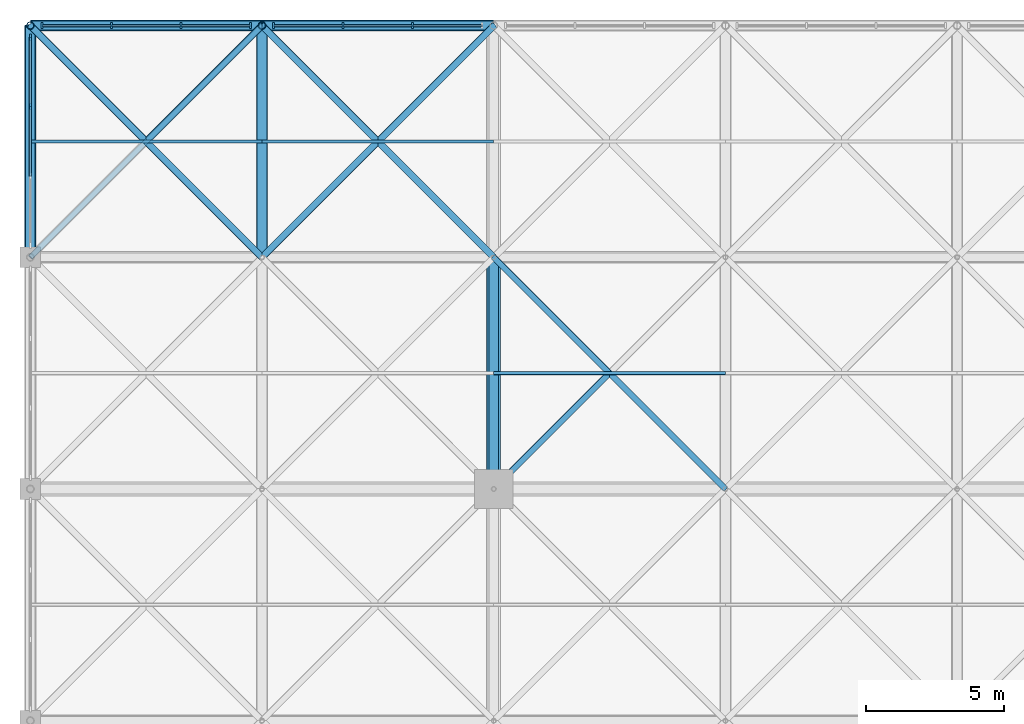
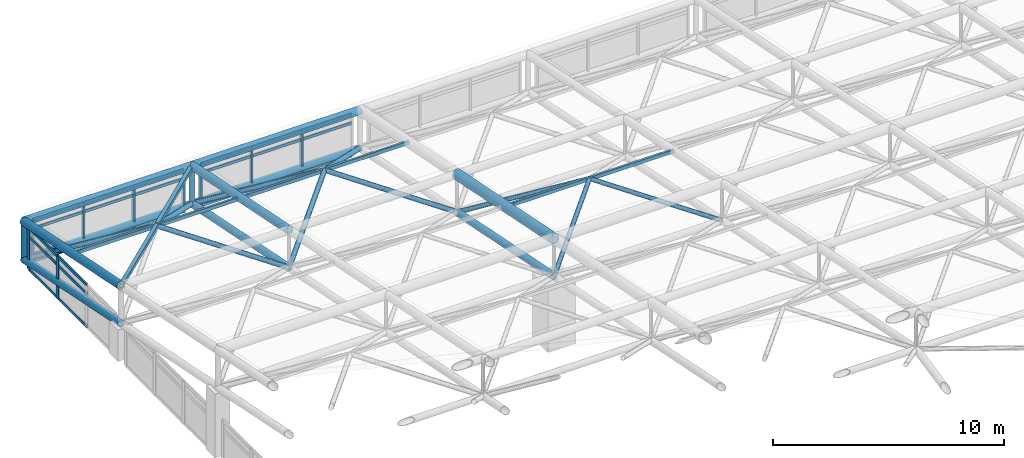
# One storey, part 48 of 81: 59 members, 3 elements without a shape of their own.
"""IFC4 building model written with IfcOpenShell, lengths in metres."""

from ifc_helpers import new_model, si_unit, direction, frame, origin, origin_2d, place, context, subcontext, project, spatial, rectangle, hollow_rectangle, hollow_circle, extrude, material, layer, layer_set, material_profile, profile_set, type_object, element, aggregate, save


model = new_model("IFC4")

# Units and contexts
model_context = context("Model", 3, precision=1e-05, world=origin(), true_north=direction((0.0, 1.0)))
body_context = subcontext(model_context, "Body", "Model", "MODEL_VIEW")
ifc_project = project(units=[si_unit("LENGTHUNIT", "METRE"), si_unit("AREAUNIT", "SQUARE_METRE"), si_unit("VOLUMEUNIT", "CUBIC_METRE"), si_unit("PLANEANGLEUNIT", "RADIAN"), si_unit("MASSUNIT", "GRAM", prefix="KILO")], contexts=[model_context])

# Site, building, storey
site_placement = place(None, origin())
site = spatial("IfcSite", under=ifc_project, at=site_placement, CompositionType="ELEMENT")
building_placement = place(site_placement, origin())
building = spatial("IfcBuilding", under=site, at=building_placement, Name="Qawsi Khor Wholesale Market", CompositionType="ELEMENT")
storey_placement = place(building_placement, frame((0.0, 0.0, 16.199951171875)))
storey = spatial("IfcBuildingStorey", under=building, at=storey_placement, Name="L03", CompositionType="ELEMENT", Elevation=16.199951171875)

# Curtain wall, members
ifc_material_1 = material(Name="Aluminium Anodised Bronze", Category="aluminium")
ifc_layer = layer(ifc_material_1, 0.199951171875, Name="Aluminium Anodised Bronze")
ifc_layer_set = layer_set([ifc_layer], Name="Aluminium Anodised Bronze")
curtain_wall_type = type_object("IfcCurtainWallType", Name="Trading Hall North-Light Curtain Wall CW-03", PredefinedType="NOTDEFINED", material=ifc_layer_set)
curtain_wall_1_placement = place(storey_placement, origin())
curtain_wall_1 = element("IfcCurtainWall", 1, at=curtain_wall_1_placement, inside=storey, type_object=curtain_wall_type, Name="Curtain wall CW-CW-03-L03-120", PredefinedType="NOTDEFINED")
ifc_material_profile_1 = material_profile(ifc_material_1, rectangle(XDim=0.074951171875, YDim=0.219970703125, at=origin_2d()), Name="ALU MULLION 75x220")
ifc_profile_set_1 = profile_set([ifc_material_profile_1], Name="Aluminium Anodised Bronze")
member_type_1 = type_object("IfcMemberType", Name="Curtain Wall Mullion CW-03 ALU MULLION 75x220", PredefinedType="MULLION", material=ifc_profile_set_1)
member_1_placement = place(storey_placement, frame((0.422607421875, 109.199951171875, -0.300048828125), z_axis=(0.0, 0.0, 1.0), x_axis=(1.0, 0.0, 0.0)))
member_1 = element("IfcMember", 2, at=member_1_placement, type_object=member_type_1, Name="Mullion CW-CW-03-L03-120-M00", PredefinedType="MULLION", context=body_context, shape_type="SweptSolid", body=[
    extrude(rectangle(XDim=0.074951171875, YDim=0.219970703125, at=origin_2d()), origin(), (0.0, 0.0, 1.0), 2.2001953125),
])
member_2_placement = place(storey_placement, frame((2.94091796875, 109.199951171875, -0.300048828125), z_axis=(0.0, 0.0, 1.0), x_axis=(1.0, 0.0, 0.0)))
member_2 = element("IfcMember", 3, at=member_2_placement, type_object=member_type_1, Name="Mullion CW-CW-03-L03-120-M01", PredefinedType="MULLION", context=body_context, shape_type="SweptSolid", body=[
    extrude(rectangle(XDim=0.074951171875, YDim=0.219970703125, at=origin_2d()), origin(), (0.0, 0.0, 1.0), 2.2001953125),
])
member_3_placement = place(storey_placement, frame((5.459228515625, 109.199951171875, -0.300048828125), z_axis=(0.0, 0.0, 1.0), x_axis=(1.0, 0.0, 0.0)))
member_3 = element("IfcMember", 4, at=member_3_placement, type_object=member_type_1, Name="Mullion CW-CW-03-L03-120-M02", PredefinedType="MULLION", context=body_context, shape_type="SweptSolid", body=[
    extrude(rectangle(XDim=0.074951171875, YDim=0.219970703125, at=origin_2d()), origin(), (0.0, 0.0, 1.0), 2.2001953125),
])
member_4_placement = place(storey_placement, frame((7.9775390625, 109.199951171875, -0.300048828125), z_axis=(0.0, 0.0, 1.0), x_axis=(1.0, 0.0, 0.0)))
member_4 = element("IfcMember", 5, at=member_4_placement, type_object=member_type_1, Name="Mullion CW-CW-03-L03-120-M03", PredefinedType="MULLION", context=body_context, shape_type="SweptSolid", body=[
    extrude(rectangle(XDim=0.074951171875, YDim=0.219970703125, at=origin_2d()), origin(), (0.0, 0.0, 1.0), 2.2001953125),
])

curtain_wall_2_placement = place(storey_placement, origin())
curtain_wall_2 = element("IfcCurtainWall", 6, at=curtain_wall_2_placement, inside=storey, type_object=curtain_wall_type, Name="Curtain wall CW-CW-03-L03-121", PredefinedType="NOTDEFINED")
member_5_placement = place(storey_placement, frame((8.822509765625, 109.199951171875, -0.300048828125), z_axis=(0.0, 0.0, 1.0), x_axis=(1.0, 0.0, 0.0)))
member_5 = element("IfcMember", 7, at=member_5_placement, type_object=member_type_1, Name="Mullion CW-CW-03-L03-121-M00", PredefinedType="MULLION", context=body_context, shape_type="SweptSolid", body=[
    extrude(rectangle(XDim=0.074951171875, YDim=0.219970703125, at=origin_2d()), origin(), (0.0, 0.0, 1.0), 2.2001953125),
])
member_6_placement = place(storey_placement, frame((11.3408203125, 109.199951171875, -0.300048828125), z_axis=(0.0, 0.0, 1.0), x_axis=(1.0, 0.0, 0.0)))
member_6 = element("IfcMember", 8, at=member_6_placement, type_object=member_type_1, Name="Mullion CW-CW-03-L03-121-M01", PredefinedType="MULLION", context=body_context, shape_type="SweptSolid", body=[
    extrude(rectangle(XDim=0.074951171875, YDim=0.219970703125, at=origin_2d()), origin(), (0.0, 0.0, 1.0), 2.2001953125),
])
member_7_placement = place(storey_placement, frame((13.859130859375, 109.199951171875, -0.300048828125), z_axis=(0.0, 0.0, 1.0), x_axis=(1.0, 0.0, 0.0)))
member_7 = element("IfcMember", 9, at=member_7_placement, type_object=member_type_1, Name="Mullion CW-CW-03-L03-121-M02", PredefinedType="MULLION", context=body_context, shape_type="SweptSolid", body=[
    extrude(rectangle(XDim=0.074951171875, YDim=0.219970703125, at=origin_2d()), origin(), (0.0, 0.0, 1.0), 2.2001953125),
])

curtain_wall_3_placement = place(storey_placement, origin())
curtain_wall_3 = element("IfcCurtainWall", 10, at=curtain_wall_3_placement, inside=storey, type_object=curtain_wall_type, Name="Curtain wall CW-CW-03-L03-143", PredefinedType="NOTDEFINED")
member_8_placement = place(storey_placement, frame((0.0, 106.25927734375, -0.300048828125), z_axis=(0.0, 0.0, 1.0), x_axis=(1.0, 0.0, 0.0)))
member_8 = element("IfcMember", 11, at=member_8_placement, type_object=member_type_1, Name="Mullion CW-CW-03-L03-143-M02", PredefinedType="MULLION", context=body_context, shape_type="SweptSolid", body=[
    extrude(rectangle(XDim=0.074951171875, YDim=0.219970703125, at=origin_2d()), origin(), (0.0, 0.0, 1.0), 2.2001953125),
])
member_9_placement = place(storey_placement, frame((0.0, 108.777587890625, -0.300048828125), z_axis=(0.0, 0.0, 1.0), x_axis=(1.0, 0.0, 0.0)))
member_9 = element("IfcMember", 12, at=member_9_placement, type_object=member_type_1, Name="Mullion CW-CW-03-L03-143-M03", PredefinedType="MULLION", context=body_context, shape_type="SweptSolid", body=[
    extrude(rectangle(XDim=0.074951171875, YDim=0.219970703125, at=origin_2d()), origin(), (0.0, 0.0, 1.0), 2.2001953125),
])

# Member
ifc_material_profile_2 = material_profile(ifc_material_1, rectangle(XDim=0.070068359375, YDim=0.14990234375, at=origin_2d()), Name="ALU TRANSOM 70x150")
ifc_profile_set_2 = profile_set([ifc_material_profile_2], Name="Aluminium Anodised Bronze")
member_type_2 = type_object("IfcMemberType", Name="Curtain Wall Transom CW-03 ALU TRANSOM 70x150", PredefinedType="USERDEFINED", material=ifc_profile_set_2)
member_10_placement = place(storey_placement, frame((0.422607421875, 109.199951171875, -0.280029296875), z_axis=(1.0, 0.0, 0.0), x_axis=(0.0, 1.0, 0.0)))
member_10 = element("IfcMember", 13, at=member_10_placement, type_object=member_type_2, Name="Transom CW-CW-03-L03-120-T0_00", ObjectType="TRANSOM", PredefinedType="USERDEFINED", context=body_context, shape_type="SweptSolid", body=[
    extrude(rectangle(XDim=0.070068359375, YDim=0.14990234375, at=origin_2d()), origin(), (0.0, 0.0, 1.0), 2.518310546875),
])

member_11_placement = place(storey_placement, frame((2.94091796875, 109.199951171875, -0.280029296875), z_axis=(1.0, 0.0, 0.0), x_axis=(0.0, 1.0, 0.0)))
member_11 = element("IfcMember", 14, at=member_11_placement, type_object=member_type_2, Name="Transom CW-CW-03-L03-120-T0_01", ObjectType="TRANSOM", PredefinedType="USERDEFINED", context=body_context, shape_type="SweptSolid", body=[
    extrude(rectangle(XDim=0.070068359375, YDim=0.14990234375, at=origin_2d()), origin(), (0.0, 0.0, 1.0), 2.518310546875),
])

member_12_placement = place(storey_placement, frame((5.459228515625, 109.199951171875, -0.280029296875), z_axis=(1.0, 0.0, 0.0), x_axis=(0.0, 1.0, 0.0)))
member_12 = element("IfcMember", 15, at=member_12_placement, type_object=member_type_2, Name="Transom CW-CW-03-L03-120-T0_02", ObjectType="TRANSOM", PredefinedType="USERDEFINED", context=body_context, shape_type="SweptSolid", body=[
    extrude(rectangle(XDim=0.070068359375, YDim=0.14990234375, at=origin_2d()), origin(), (0.0, 0.0, 1.0), 2.518310546875),
])

member_13_placement = place(storey_placement, frame((0.422607421875, 109.199951171875, 1.449951171875), z_axis=(1.0, 0.0, 0.0), x_axis=(0.0, 1.0, 0.0)))
member_13 = element("IfcMember", 16, at=member_13_placement, type_object=member_type_2, Name="Transom CW-CW-03-L03-120-T1_00", ObjectType="TRANSOM", PredefinedType="USERDEFINED", context=body_context, shape_type="SweptSolid", body=[
    extrude(rectangle(XDim=0.070068359375, YDim=0.14990234375, at=origin_2d()), origin(), (0.0, 0.0, 1.0), 2.518310546875),
])

member_14_placement = place(storey_placement, frame((2.94091796875, 109.199951171875, 1.449951171875), z_axis=(1.0, 0.0, 0.0), x_axis=(0.0, 1.0, 0.0)))
member_14 = element("IfcMember", 17, at=member_14_placement, type_object=member_type_2, Name="Transom CW-CW-03-L03-120-T1_01", ObjectType="TRANSOM", PredefinedType="USERDEFINED", context=body_context, shape_type="SweptSolid", body=[
    extrude(rectangle(XDim=0.070068359375, YDim=0.14990234375, at=origin_2d()), origin(), (0.0, 0.0, 1.0), 2.518310546875),
])

member_15_placement = place(storey_placement, frame((5.459228515625, 109.199951171875, 1.449951171875), z_axis=(1.0, 0.0, 0.0), x_axis=(0.0, 1.0, 0.0)))
member_15 = element("IfcMember", 18, at=member_15_placement, type_object=member_type_2, Name="Transom CW-CW-03-L03-120-T1_02", ObjectType="TRANSOM", PredefinedType="USERDEFINED", context=body_context, shape_type="SweptSolid", body=[
    extrude(rectangle(XDim=0.070068359375, YDim=0.14990234375, at=origin_2d()), origin(), (0.0, 0.0, 1.0), 2.518310546875),
])

member_16_placement = place(storey_placement, frame((0.422607421875, 109.199951171875, 1.900146484375), z_axis=(1.0, 0.0, 0.0), x_axis=(0.0, 1.0, 0.0)))
member_16 = element("IfcMember", 19, at=member_16_placement, type_object=member_type_2, Name="Transom CW-CW-03-L03-120-T2_00", ObjectType="TRANSOM", PredefinedType="USERDEFINED", context=body_context, shape_type="SweptSolid", body=[
    extrude(rectangle(XDim=0.070068359375, YDim=0.14990234375, at=origin_2d()), origin(), (0.0, 0.0, 1.0), 2.518310546875),
])

member_17_placement = place(storey_placement, frame((2.94091796875, 109.199951171875, 1.900146484375), z_axis=(1.0, 0.0, 0.0), x_axis=(0.0, 1.0, 0.0)))
member_17 = element("IfcMember", 20, at=member_17_placement, type_object=member_type_2, Name="Transom CW-CW-03-L03-120-T2_01", ObjectType="TRANSOM", PredefinedType="USERDEFINED", context=body_context, shape_type="SweptSolid", body=[
    extrude(rectangle(XDim=0.070068359375, YDim=0.14990234375, at=origin_2d()), origin(), (0.0, 0.0, 1.0), 2.518310546875),
])

member_18_placement = place(storey_placement, frame((5.459228515625, 109.199951171875, 1.900146484375), z_axis=(1.0, 0.0, 0.0), x_axis=(0.0, 1.0, 0.0)))
member_18 = element("IfcMember", 21, at=member_18_placement, type_object=member_type_2, Name="Transom CW-CW-03-L03-120-T2_02", ObjectType="TRANSOM", PredefinedType="USERDEFINED", context=body_context, shape_type="SweptSolid", body=[
    extrude(rectangle(XDim=0.070068359375, YDim=0.14990234375, at=origin_2d()), origin(), (0.0, 0.0, 1.0), 2.518310546875),
])

aggregate(curtain_wall_1, [member_1, member_2, member_3, member_4, member_10, member_11, member_12, member_13, member_14, member_15, member_16, member_17, member_18])

member_19_placement = place(storey_placement, frame((8.822509765625, 109.199951171875, -0.280029296875), z_axis=(1.0, 0.0, 0.0), x_axis=(0.0, 1.0, 0.0)))
member_19 = element("IfcMember", 22, at=member_19_placement, type_object=member_type_2, Name="Transom CW-CW-03-L03-121-T0_00", ObjectType="TRANSOM", PredefinedType="USERDEFINED", context=body_context, shape_type="SweptSolid", body=[
    extrude(rectangle(XDim=0.070068359375, YDim=0.14990234375, at=origin_2d()), origin(), (0.0, 0.0, 1.0), 2.518310546875),
])

member_20_placement = place(storey_placement, frame((11.3408203125, 109.199951171875, -0.280029296875), z_axis=(1.0, 0.0, 0.0), x_axis=(0.0, 1.0, 0.0)))
member_20 = element("IfcMember", 23, at=member_20_placement, type_object=member_type_2, Name="Transom CW-CW-03-L03-121-T0_01", ObjectType="TRANSOM", PredefinedType="USERDEFINED", context=body_context, shape_type="SweptSolid", body=[
    extrude(rectangle(XDim=0.070068359375, YDim=0.14990234375, at=origin_2d()), origin(), (0.0, 0.0, 1.0), 2.518310546875),
])

member_21_placement = place(storey_placement, frame((13.859130859375, 109.199951171875, -0.280029296875), z_axis=(1.0, 0.0, 0.0), x_axis=(0.0, 1.0, 0.0)))
member_21 = element("IfcMember", 24, at=member_21_placement, type_object=member_type_2, Name="Transom CW-CW-03-L03-121-T0_02", ObjectType="TRANSOM", PredefinedType="USERDEFINED", context=body_context, shape_type="SweptSolid", body=[
    extrude(rectangle(XDim=0.070068359375, YDim=0.14990234375, at=origin_2d()), origin(), (0.0, 0.0, 1.0), 2.518310546875),
])

member_22_placement = place(storey_placement, frame((8.822509765625, 109.199951171875, 1.449951171875), z_axis=(1.0, 0.0, 0.0), x_axis=(0.0, 1.0, 0.0)))
member_22 = element("IfcMember", 25, at=member_22_placement, type_object=member_type_2, Name="Transom CW-CW-03-L03-121-T1_00", ObjectType="TRANSOM", PredefinedType="USERDEFINED", context=body_context, shape_type="SweptSolid", body=[
    extrude(rectangle(XDim=0.070068359375, YDim=0.14990234375, at=origin_2d()), origin(), (0.0, 0.0, 1.0), 2.518310546875),
])

member_23_placement = place(storey_placement, frame((11.3408203125, 109.199951171875, 1.449951171875), z_axis=(1.0, 0.0, 0.0), x_axis=(0.0, 1.0, 0.0)))
member_23 = element("IfcMember", 26, at=member_23_placement, type_object=member_type_2, Name="Transom CW-CW-03-L03-121-T1_01", ObjectType="TRANSOM", PredefinedType="USERDEFINED", context=body_context, shape_type="SweptSolid", body=[
    extrude(rectangle(XDim=0.070068359375, YDim=0.14990234375, at=origin_2d()), origin(), (0.0, 0.0, 1.0), 2.518310546875),
])

member_24_placement = place(storey_placement, frame((13.859130859375, 109.199951171875, 1.449951171875), z_axis=(1.0, 0.0, 0.0), x_axis=(0.0, 1.0, 0.0)))
member_24 = element("IfcMember", 27, at=member_24_placement, type_object=member_type_2, Name="Transom CW-CW-03-L03-121-T1_02", ObjectType="TRANSOM", PredefinedType="USERDEFINED", context=body_context, shape_type="SweptSolid", body=[
    extrude(rectangle(XDim=0.070068359375, YDim=0.14990234375, at=origin_2d()), origin(), (0.0, 0.0, 1.0), 2.518310546875),
])

member_25_placement = place(storey_placement, frame((8.822509765625, 109.199951171875, 1.900146484375), z_axis=(1.0, 0.0, 0.0), x_axis=(0.0, 1.0, 0.0)))
member_25 = element("IfcMember", 28, at=member_25_placement, type_object=member_type_2, Name="Transom CW-CW-03-L03-121-T2_00", ObjectType="TRANSOM", PredefinedType="USERDEFINED", context=body_context, shape_type="SweptSolid", body=[
    extrude(rectangle(XDim=0.070068359375, YDim=0.14990234375, at=origin_2d()), origin(), (0.0, 0.0, 1.0), 2.518310546875),
])

member_26_placement = place(storey_placement, frame((11.3408203125, 109.199951171875, 1.900146484375), z_axis=(1.0, 0.0, 0.0), x_axis=(0.0, 1.0, 0.0)))
member_26 = element("IfcMember", 29, at=member_26_placement, type_object=member_type_2, Name="Transom CW-CW-03-L03-121-T2_01", ObjectType="TRANSOM", PredefinedType="USERDEFINED", context=body_context, shape_type="SweptSolid", body=[
    extrude(rectangle(XDim=0.070068359375, YDim=0.14990234375, at=origin_2d()), origin(), (0.0, 0.0, 1.0), 2.518310546875),
])

member_27_placement = place(storey_placement, frame((13.859130859375, 109.199951171875, 1.900146484375), z_axis=(1.0, 0.0, 0.0), x_axis=(0.0, 1.0, 0.0)))
member_27 = element("IfcMember", 30, at=member_27_placement, type_object=member_type_2, Name="Transom CW-CW-03-L03-121-T2_02", ObjectType="TRANSOM", PredefinedType="USERDEFINED", context=body_context, shape_type="SweptSolid", body=[
    extrude(rectangle(XDim=0.070068359375, YDim=0.14990234375, at=origin_2d()), origin(), (0.0, 0.0, 1.0), 2.518310546875),
])

aggregate(curtain_wall_2, [member_5, member_6, member_7, member_19, member_20, member_21, member_22, member_23, member_24, member_25, member_26, member_27])

member_28_placement = place(storey_placement, frame((0.0, 103.74072265625, -0.280029296875), z_axis=(0.0, 1.0, 0.0), x_axis=(-1.0, 0.0, 0.0)))
member_28 = element("IfcMember", 31, at=member_28_placement, type_object=member_type_2, Name="Transom CW-CW-03-L03-143-T0_01", ObjectType="TRANSOM", PredefinedType="USERDEFINED", context=body_context, shape_type="SweptSolid", body=[
    extrude(rectangle(XDim=0.070068359375, YDim=0.14990234375, at=origin_2d()), origin(), (0.0, 0.0, 1.0), 2.5185546875),
])

member_29_placement = place(storey_placement, frame((0.0, 106.25927734375, -0.280029296875), z_axis=(0.0, 1.0, 0.0), x_axis=(-1.0, 0.0, 0.0)))
member_29 = element("IfcMember", 32, at=member_29_placement, type_object=member_type_2, Name="Transom CW-CW-03-L03-143-T0_02", ObjectType="TRANSOM", PredefinedType="USERDEFINED", context=body_context, shape_type="SweptSolid", body=[
    extrude(rectangle(XDim=0.070068359375, YDim=0.14990234375, at=origin_2d()), origin(), (0.0, 0.0, 1.0), 2.518310546875),
])

member_30_placement = place(storey_placement, frame((0.0, 103.74072265625, 1.449951171875), z_axis=(0.0, 1.0, 0.0), x_axis=(-1.0, 0.0, 0.0)))
member_30 = element("IfcMember", 33, at=member_30_placement, type_object=member_type_2, Name="Transom CW-CW-03-L03-143-T1_01", ObjectType="TRANSOM", PredefinedType="USERDEFINED", context=body_context, shape_type="SweptSolid", body=[
    extrude(rectangle(XDim=0.070068359375, YDim=0.14990234375, at=origin_2d()), origin(), (0.0, 0.0, 1.0), 2.5185546875),
])

member_31_placement = place(storey_placement, frame((0.0, 106.25927734375, 1.449951171875), z_axis=(0.0, 1.0, 0.0), x_axis=(-1.0, 0.0, 0.0)))
member_31 = element("IfcMember", 34, at=member_31_placement, type_object=member_type_2, Name="Transom CW-CW-03-L03-143-T1_02", ObjectType="TRANSOM", PredefinedType="USERDEFINED", context=body_context, shape_type="SweptSolid", body=[
    extrude(rectangle(XDim=0.070068359375, YDim=0.14990234375, at=origin_2d()), origin(), (0.0, 0.0, 1.0), 2.518310546875),
])

member_32_placement = place(storey_placement, frame((0.0, 103.74072265625, 1.900146484375), z_axis=(0.0, 1.0, 0.0), x_axis=(-1.0, 0.0, 0.0)))
member_32 = element("IfcMember", 35, at=member_32_placement, type_object=member_type_2, Name="Transom CW-CW-03-L03-143-T2_01", ObjectType="TRANSOM", PredefinedType="USERDEFINED", context=body_context, shape_type="SweptSolid", body=[
    extrude(rectangle(XDim=0.070068359375, YDim=0.14990234375, at=origin_2d()), origin(), (0.0, 0.0, 1.0), 2.5185546875),
])

member_33_placement = place(storey_placement, frame((0.0, 106.25927734375, 1.900146484375), z_axis=(0.0, 1.0, 0.0), x_axis=(-1.0, 0.0, 0.0)))
member_33 = element("IfcMember", 36, at=member_33_placement, type_object=member_type_2, Name="Transom CW-CW-03-L03-143-T2_02", ObjectType="TRANSOM", PredefinedType="USERDEFINED", context=body_context, shape_type="SweptSolid", body=[
    extrude(rectangle(XDim=0.070068359375, YDim=0.14990234375, at=origin_2d()), origin(), (0.0, 0.0, 1.0), 2.518310546875),
])

aggregate(curtain_wall_3, [member_8, member_9, member_28, member_29, member_30, member_31, member_32, member_33])

# Members
ifc_material_2 = material(Name="Steel S355", Category="steel")
ifc_material_profile_3 = material_profile(ifc_material_2, hollow_rectangle(XDim=0.199951171875, YDim=0.199951171875, WallThickness=0.010009765625, InnerFilletRadius=0.010009765625, OuterFilletRadius=0.02001953125, at=origin_2d()), Name="SHS 200x200x10.0")
ifc_profile_set_3 = profile_set([ifc_material_profile_3], Name="Steel S355")
member_type_3 = type_object("IfcMemberType", Name="Roof Plan Brace SHS 200x200x10.0", PredefinedType="BRACE", material=ifc_profile_set_3)
member_34_placement = place(storey_placement, frame((0.0, 100.800048828125, 3.670166015625), z_axis=(0.699973918403, 0.699973918403, -0.141679310811), x_axis=(-0.707106781187, 0.707106781187, 0.0)))
element("IfcMember", 37, at=member_34_placement, inside=storey, type_object=member_type_3, Name="Space frame plan brace WH (0,12)", PredefinedType="BRACE", context=body_context, shape_type="SweptSolid", body=[
    extrude(hollow_rectangle(XDim=0.199951171875, YDim=0.199951171875, WallThickness=0.010009765625, InnerFilletRadius=0.010009765625, OuterFilletRadius=0.02001953125, at=origin_2d()), origin(), (0.0, 0.0, 1.0), 12.000244140625),
])
ifc_material_profile_4 = material_profile(ifc_material_2, hollow_circle(Radius=0.177734375, WallThickness=0.01611328125, at=origin_2d()), Name="CHS 355.6x16.0")
ifc_profile_set_4 = profile_set([ifc_material_profile_4], Name="Steel S355")
member_type_4 = type_object("IfcMemberType", Name="Space-Frame Bottom Chord CHS 355.6x16.0", PredefinedType="CHORD", material=ifc_profile_set_4)
for number, where, z_axis, x_axis, name in (
    (38, (0.0, 100.800048828125, 1.670166015625), (0.0, 0.9801244518, -0.198383615716), (-1.0, 0.0, 0.0), "Space frame bottom chord Y WH (0,12)"),
    (39, (8.39990234375, 100.800048828125, 1.670166015625), (0.0, 0.9801244518, -0.198383615716), (-1.0, 0.0, 0.0), "Space frame bottom chord Y WH (1,12)"),
    (40, (16.800048828125, 92.39990234375, 3.3701171875), (0.0, 0.98013111127, -0.198350711418), (-1.0, 0.0, 0.0), "Space frame bottom chord Y WH (2,11)"),
):
    element("IfcMember", number, at=place(storey_placement, frame(where, z_axis=z_axis, x_axis=x_axis)), inside=storey, type_object=member_type_4, Name=name, PredefinedType="CHORD", context=body_context, shape_type="SweptSolid", body=[
        extrude(hollow_circle(Radius=0.177734375, WallThickness=0.01611328125, at=origin_2d()), origin(), (0.0, 0.0, 1.0), 8.5703125),
    ])
ifc_material_profile_5 = material_profile(ifc_material_2, hollow_circle(Radius=0.136474609375, WallThickness=0.012451171875, at=origin_2d()), Name="CHS 273.0x12.5")
ifc_profile_set_5 = profile_set([ifc_material_profile_5], Name="Steel S355")
member_type_5 = type_object("IfcMemberType", Name="Space-Frame Edge Post CHS 273.0x12.5", PredefinedType="POST", material=ifc_profile_set_5)
for number, where, z_axis, x_axis, name in (
    (41, (0.0, 109.199951171875, -0.030029296875), (0.0, 0.0, 1.0), (1.0, 0.0, 0.0), "Space frame post WH (0,13)"),
    (42, (8.39990234375, 109.199951171875, -0.030029296875), (0.0, 0.0, 1.0), (1.0, 0.0, 0.0), "Space frame post WH (1,13)"),
):
    element("IfcMember", number, at=place(storey_placement, frame(where, z_axis=z_axis, x_axis=x_axis)), inside=storey, type_object=member_type_5, Name=name, PredefinedType="POST", context=body_context, shape_type="SweptSolid", body=[
        extrude(hollow_circle(Radius=0.136474609375, WallThickness=0.012451171875, at=origin_2d()), origin(), (0.0, 0.0, 1.0), 2.0),
    ])
ifc_material_profile_6 = material_profile(ifc_material_2, hollow_circle(Radius=0.122314453125, WallThickness=0.012451171875, at=origin_2d()), Name="CHS 244.5x12.5")
ifc_profile_set_6 = profile_set([ifc_material_profile_6], Name="Steel S355")
member_type_6 = type_object("IfcMemberType", Name="Space-Frame Heavy Diagonal CHS 244.5x12.5", PredefinedType="POST", material=ifc_profile_set_6)
member_35_placement = place(storey_placement, frame((8.39990234375, 100.800048828125, 1.670166015625), z_axis=(-0.694216714393, 0.694216714393, 0.190069216113), x_axis=(-0.707106781187, -0.707106781187, 0.0)))
element("IfcMember", 43, at=member_35_placement, inside=storey, type_object=member_type_6, Name="Space frame diagonal WH (0,12)-2", PredefinedType="POST", context=body_context, shape_type="SweptSolid", body=[
    extrude(hollow_circle(Radius=0.122314453125, WallThickness=0.012451171875, at=origin_2d()), origin(), (0.0, 0.0, 1.0), 6.0498046875),
])
for number, where, z_axis, x_axis, name in (
    (44, (8.39990234375, 109.199951171875, -0.030029296875), (-0.637511741089, -0.637511741089, 0.432617105474), (0.707106781187, -0.707106781187, 0.0), "Space frame diagonal WH (0,12)-3"),
    (45, (0.0, 109.199951171875, -0.030029296875), (0.637511741089, -0.637511741089, 0.432617105474), (0.707106781187, 0.707106781187, 0.0), "Space frame diagonal WH (0,12)-4"),
):
    element("IfcMember", number, at=place(storey_placement, frame(where, z_axis=z_axis, x_axis=x_axis)), inside=storey, type_object=member_type_6, Name=name, PredefinedType="POST", context=body_context, shape_type="SweptSolid", body=[
        extrude(hollow_circle(Radius=0.122314453125, WallThickness=0.012451171875, at=origin_2d()), origin(), (0.0, 0.0, 1.0), 6.588134765625),
    ])
member_36_placement = place(storey_placement, frame((8.39990234375, 100.800048828125, 1.670166015625), z_axis=(0.694237619642, 0.694197266374, 0.19006389145), x_axis=(-0.70708622964, 0.707127332136, 0.0)))
element("IfcMember", 46, at=member_36_placement, inside=storey, type_object=member_type_6, Name="Space frame diagonal WH (1,12)-1", PredefinedType="POST", context=body_context, shape_type="SweptSolid", body=[
    extrude(hollow_circle(Radius=0.122314453125, WallThickness=0.012451171875, at=origin_2d()), origin(), (0.0, 0.0, 1.0), 6.050048828125),
])
member_37_placement = place(storey_placement, frame((16.800048828125, 100.800048828125, 1.670166015625), z_axis=(-0.694216714393, 0.694216714393, 0.190069216113), x_axis=(-0.707106781187, -0.707106781187, 0.0)))
element("IfcMember", 47, at=member_37_placement, inside=storey, type_object=member_type_6, Name="Space frame diagonal WH (1,12)-2", PredefinedType="POST", context=body_context, shape_type="SweptSolid", body=[
    extrude(hollow_circle(Radius=0.122314453125, WallThickness=0.012451171875, at=origin_2d()), origin(), (0.0, 0.0, 1.0), 6.0498046875),
])
for number, where, z_axis, x_axis, name in (
    (48, (16.800048828125, 109.199951171875, -0.030029296875), (-0.637511741089, -0.637511741089, 0.432617105474), (0.707106781187, -0.707106781187, 0.0), "Space frame diagonal WH (1,12)-3"),
    (49, (8.39990234375, 109.199951171875, -0.030029296875), (0.637533737254, -0.637496679957, 0.432606884951), (0.70708622964, 0.707127332136, 0.0), "Space frame diagonal WH (1,12)-4"),
):
    element("IfcMember", number, at=place(storey_placement, frame(where, z_axis=z_axis, x_axis=x_axis)), inside=storey, type_object=member_type_6, Name=name, PredefinedType="POST", context=body_context, shape_type="SweptSolid", body=[
        extrude(hollow_circle(Radius=0.122314453125, WallThickness=0.012451171875, at=origin_2d()), origin(), (0.0, 0.0, 1.0), 6.588134765625),
    ])
ifc_material_profile_7 = material_profile(ifc_material_2, hollow_rectangle(XDim=0.1201171875, YDim=0.199951171875, WallThickness=0.008056640625, InnerFilletRadius=0.008056640625, OuterFilletRadius=0.01611328125, at=origin_2d()), Name="RHS 200x120x8.0")
ifc_profile_set_7 = profile_set([ifc_material_profile_7], Name="Steel S355")
member_type_7 = type_object("IfcMemberType", Name="Space-Frame Heavy Purlin RHS 200x120x8.0", PredefinedType="PURLIN", material=ifc_profile_set_7)
member_38_placement = place(storey_placement, frame((0.0, 105.0, 2.820068359375), z_axis=(1.0, 0.0, 0.0), x_axis=(0.0, 1.0, 0.0)))
element("IfcMember", 50, at=member_38_placement, inside=storey, type_object=member_type_7, Name="Space frame purlin WH (0,12)", PredefinedType="PURLIN", context=body_context, shape_type="SweptSolid", body=[
    extrude(hollow_rectangle(XDim=0.1201171875, YDim=0.199951171875, WallThickness=0.008056640625, InnerFilletRadius=0.008056640625, OuterFilletRadius=0.01611328125, at=origin_2d()), origin(), (0.0, 0.0, 1.0), 8.39990234375),
])
member_39_placement = place(storey_placement, frame((8.39990234375, 105.0, 2.820068359375), z_axis=(1.0, 0.0, 0.0), x_axis=(0.0, 1.0, 0.0)))
element("IfcMember", 51, at=member_39_placement, inside=storey, type_object=member_type_7, Name="Space frame purlin WH (1,12)", PredefinedType="PURLIN", context=body_context, shape_type="SweptSolid", body=[
    extrude(hollow_rectangle(XDim=0.1201171875, YDim=0.199951171875, WallThickness=0.008056640625, InnerFilletRadius=0.008056640625, OuterFilletRadius=0.01611328125, at=origin_2d()), origin(), (0.0, 0.0, 1.0), 8.400146484375),
])
member_40_placement = place(storey_placement, frame((16.800048828125, 96.60009765625, 4.52001953125), z_axis=(1.0, 0.0, 0.0), x_axis=(0.0, 1.0, 0.0)))
element("IfcMember", 52, at=member_40_placement, inside=storey, type_object=member_type_7, Name="Space frame purlin WH (2,11)", PredefinedType="PURLIN", context=body_context, shape_type="SweptSolid", body=[
    extrude(hollow_rectangle(XDim=0.1201171875, YDim=0.199951171875, WallThickness=0.008056640625, InnerFilletRadius=0.008056640625, OuterFilletRadius=0.01611328125, at=origin_2d()), origin(), (0.0, 0.0, 1.0), 8.39990234375),
])
ifc_material_profile_8 = material_profile(ifc_material_2, hollow_circle(Radius=0.109619140625, WallThickness=0.010009765625, at=origin_2d()), Name="CHS 219.1x10.0")
ifc_profile_set_8 = profile_set([ifc_material_profile_8], Name="Steel S355")
member_type_8 = type_object("IfcMemberType", Name="Space-Frame Inner Diagonal CHS 219.1x10.0", PredefinedType="RAFTER", material=ifc_profile_set_8)
for number, where, z_axis, x_axis, name in (
    (53, (16.800048828125, 92.39990234375, 3.3701171875), (0.694197266374, 0.694237619642, 0.19006389145), (-0.707127332136, 0.70708622964, 0.0), "Space frame diagonal WH (2,11)-1"),
    (54, (25.199951171875, 92.39990234375, 3.3701171875), (-0.694197266374, 0.694237619642, 0.19006389145), (-0.707127332136, -0.70708622964, 0.0), "Space frame diagonal WH (2,11)-2"),
):
    element("IfcMember", number, at=place(storey_placement, frame(where, z_axis=z_axis, x_axis=x_axis)), inside=storey, type_object=member_type_8, Name=name, PredefinedType="RAFTER", context=body_context, shape_type="SweptSolid", body=[
        extrude(hollow_circle(Radius=0.109619140625, WallThickness=0.010009765625, at=origin_2d()), origin(), (0.0, 0.0, 1.0), 6.050048828125),
    ])
member_41_placement = place(storey_placement, frame((16.800048828125, 100.800048828125, 1.670166015625), z_axis=(0.637521961484, -0.637521961484, 0.432586982294), x_axis=(0.707106781187, 0.707106781187, 0.0)))
element("IfcMember", 55, at=member_41_placement, inside=storey, type_object=member_type_8, Name="Space frame diagonal WH (2,11)-4", PredefinedType="RAFTER", context=body_context, shape_type="SweptSolid", body=[
    extrude(hollow_circle(Radius=0.109619140625, WallThickness=0.010009765625, at=origin_2d()), origin(), (0.0, 0.0, 1.0), 6.587890625),
])
ifc_material_profile_9 = material_profile(ifc_material_2, hollow_circle(Radius=0.25390625, WallThickness=0.02490234375, at=origin_2d()), Name="CHS 508.0x25.0")
ifc_profile_set_9 = profile_set([ifc_material_profile_9], Name="Steel S355")
member_type_9 = type_object("IfcMemberType", Name="Space-Frame Main Chord CHS 508.0x25.0", PredefinedType="CHORD", material=ifc_profile_set_9)
member_42_placement = place(storey_placement, frame((16.800048828125, 92.39990234375, 5.3701171875), z_axis=(0.0, 0.98013111127, -0.198350711418), x_axis=(-1.0, 0.0, 0.0)))
element("IfcMember", 56, at=member_42_placement, inside=storey, type_object=member_type_9, Name="Space frame top chord Y WH (2,11)", PredefinedType="CHORD", context=body_context, shape_type="SweptSolid", body=[
    extrude(hollow_circle(Radius=0.25390625, WallThickness=0.02490234375, at=origin_2d()), origin(), (0.0, 0.0, 1.0), 8.5703125),
])
ifc_material_profile_10 = material_profile(ifc_material_2, hollow_circle(Radius=0.161865234375, WallThickness=0.01611328125, at=origin_2d()), Name="CHS 323.9x16.0")
ifc_profile_set_10 = profile_set([ifc_material_profile_10], Name="Steel S355")
member_type_10 = type_object("IfcMemberType", Name="Space-Frame Secondary Chord CHS 323.9x16.0", PredefinedType="CHORD", material=ifc_profile_set_10)
member_43_placement = place(storey_placement, frame((0.0, 109.199951171875, -0.030029296875), z_axis=(1.0, 0.0, 0.0), x_axis=(0.0, 1.0, 0.0)))
element("IfcMember", 57, at=member_43_placement, inside=storey, type_object=member_type_10, Name="Space frame bottom chord X WH (0,13)", PredefinedType="CHORD", context=body_context, shape_type="SweptSolid", body=[
    extrude(hollow_circle(Radius=0.161865234375, WallThickness=0.01611328125, at=origin_2d()), origin(), (0.0, 0.0, 1.0), 8.39990234375),
])
member_44_placement = place(storey_placement, frame((8.39990234375, 109.199951171875, -0.030029296875), z_axis=(1.0, 0.0, 0.0), x_axis=(0.0, 1.0, 0.0)))
element("IfcMember", 58, at=member_44_placement, inside=storey, type_object=member_type_10, Name="Space frame bottom chord X WH (1,13)", PredefinedType="CHORD", context=body_context, shape_type="SweptSolid", body=[
    extrude(hollow_circle(Radius=0.161865234375, WallThickness=0.01611328125, at=origin_2d()), origin(), (0.0, 0.0, 1.0), 8.400146484375),
])
ifc_material_profile_11 = material_profile(ifc_material_2, hollow_circle(Radius=0.203125, WallThickness=0.02001953125, at=origin_2d()), Name="CHS 406.4x20.0")
ifc_profile_set_11 = profile_set([ifc_material_profile_11], Name="Steel S355")
member_type_11 = type_object("IfcMemberType", Name="Space-Frame Top Chord CHS 406.4x20.0", PredefinedType="CHORD", material=ifc_profile_set_11)
member_45_placement = place(storey_placement, frame((0.0, 100.800048828125, 3.670166015625), z_axis=(0.0, 0.9801244518, -0.198383615716), x_axis=(-1.0, 0.0, 0.0)))
element("IfcMember", 59, at=member_45_placement, inside=storey, type_object=member_type_11, Name="Space frame top chord Y WH (0,12)", PredefinedType="CHORD", context=body_context, shape_type="SweptSolid", body=[
    extrude(hollow_circle(Radius=0.203125, WallThickness=0.02001953125, at=origin_2d()), origin(), (0.0, 0.0, 1.0), 8.5703125),
])
member_46_placement = place(storey_placement, frame((0.0, 109.199951171875, 1.969970703125), z_axis=(1.0, 0.0, 0.0), x_axis=(0.0, 1.0, 0.0)))
element("IfcMember", 60, at=member_46_placement, inside=storey, type_object=member_type_11, Name="Space frame top chord X WH (0,13)", PredefinedType="CHORD", context=body_context, shape_type="SweptSolid", body=[
    extrude(hollow_circle(Radius=0.203125, WallThickness=0.02001953125, at=origin_2d()), origin(), (0.0, 0.0, 1.0), 8.39990234375),
])
member_47_placement = place(storey_placement, frame((8.39990234375, 100.800048828125, 3.670166015625), z_axis=(0.0, 0.9801244518, -0.198383615716), x_axis=(-1.0, 0.0, 0.0)))
element("IfcMember", 61, at=member_47_placement, inside=storey, type_object=member_type_11, Name="Space frame top chord Y WH (1,12)", PredefinedType="CHORD", context=body_context, shape_type="SweptSolid", body=[
    extrude(hollow_circle(Radius=0.203125, WallThickness=0.02001953125, at=origin_2d()), origin(), (0.0, 0.0, 1.0), 8.5703125),
])
member_48_placement = place(storey_placement, frame((8.39990234375, 109.199951171875, 1.969970703125), z_axis=(1.0, 0.0, 0.0), x_axis=(0.0, 1.0, 0.0)))
element("IfcMember", 62, at=member_48_placement, inside=storey, type_object=member_type_11, Name="Space frame top chord X WH (1,13)", PredefinedType="CHORD", context=body_context, shape_type="SweptSolid", body=[
    extrude(hollow_circle(Radius=0.203125, WallThickness=0.02001953125, at=origin_2d()), origin(), (0.0, 0.0, 1.0), 8.400146484375),
])

save(model, "model.ifc")
